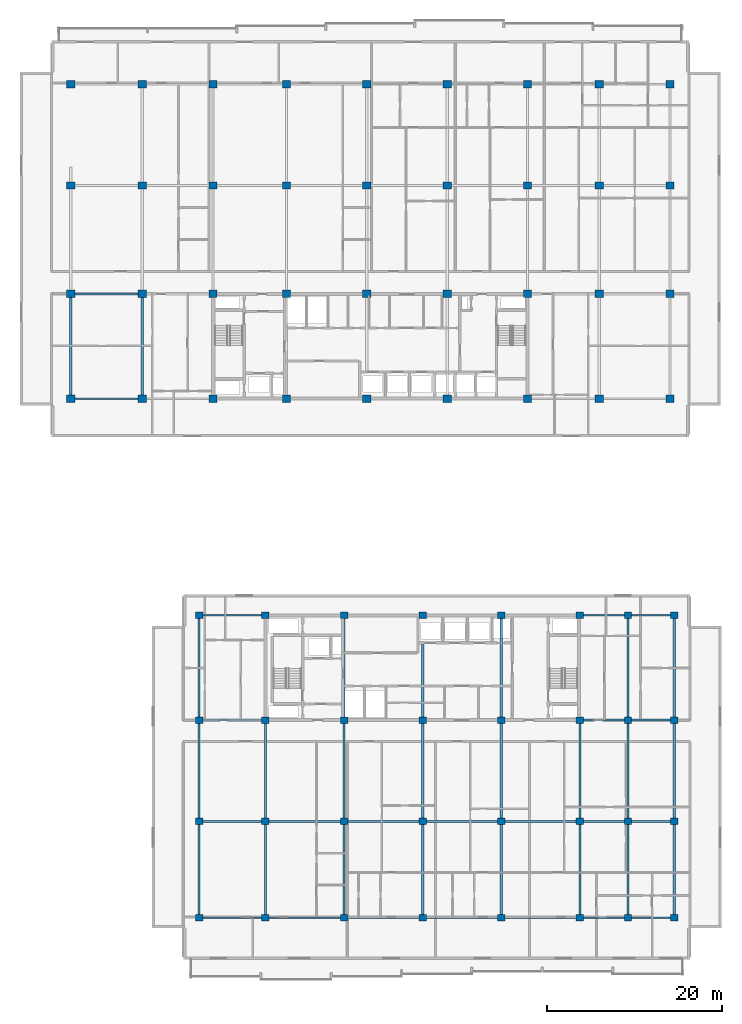
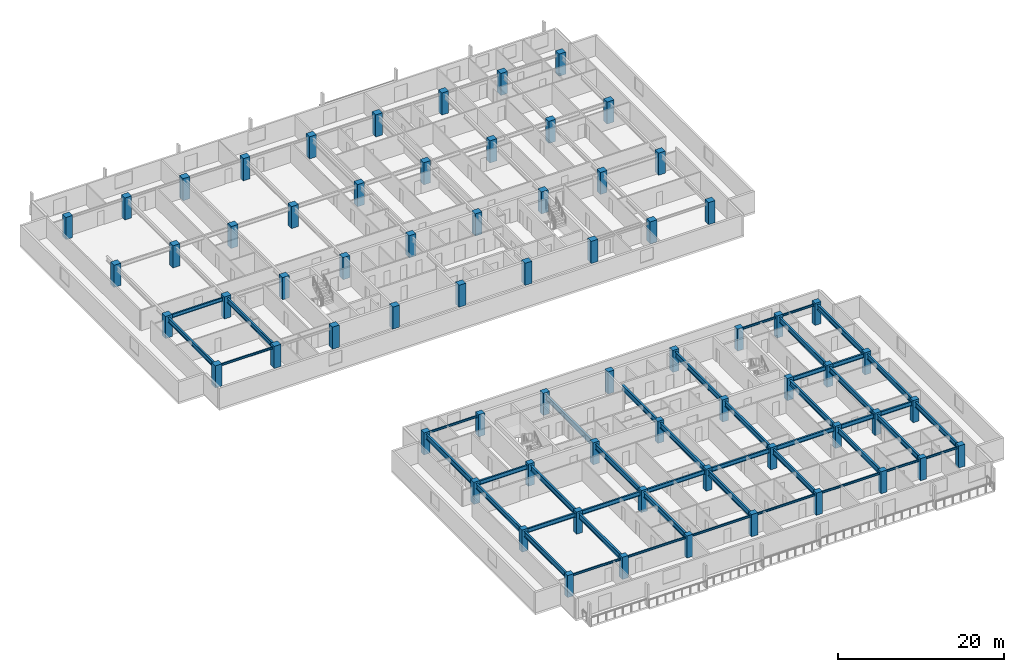
# One storey, part 1 of 21: 68 columns, 46 beams.
"""IFC4 building model written with IfcOpenShell, lengths in metres."""

import ifcopenshell
import ifcopenshell.guid

model = None  # the IFC model being written
_history = None  # IfcOwnerHistory: only IFC2X3 demands one
_inside = {}  # id of a spatial element -> (the spatial element, [elements in it])
_under = {}  # id of a project, library or spatial element -> (it, [spatial elements below it])
_declared = {}  # id of a project -> (the project, [libraries it declares])
_typed = {}  # id of a type object -> (the type object, [elements of that type])
_made_of = {}  # id of a material, layer set ... -> (it, [elements and type objects made of it])


def new_model(schema):
    """Start an empty IFC model of exactly this schema.

    Asked for "IFC4X3", IfcOpenShell would pick the latest addendum, in which some entities
    have other attributes; the version numbers below select the first issue.
    IFC2X3 requires an IfcOwnerHistory on every rooted entity: one is made here for all.
    """
    global model, _history
    if schema == "IFC4X3":
        model = ifcopenshell.file(schema_version=(4, 3, 0, 0))
    else:
        model = ifcopenshell.file(schema=schema)
    _inside.clear()
    _under.clear()
    _declared.clear()
    _typed.clear()
    _made_of.clear()
    _history = None
    if model.schema == "IFC2X3":
        org = make("IfcOrganization", Name="unknown")
        user = make(
            "IfcPersonAndOrganization",
            ThePerson=make("IfcPerson", FamilyName="unknown"),
            TheOrganization=org,
        )
        app = make(
            "IfcApplication",
            ApplicationDeveloper=org,
            Version="unknown",
            ApplicationFullName="unknown",
            ApplicationIdentifier="unknown",
        )
        _history = make(
            "IfcOwnerHistory",
            OwningUser=user,
            OwningApplication=app,
            ChangeAction="ADDED",
            CreationDate=0,
        )
    return model


def make(cls, **values):
    """One entity of the class cls with the attributes given. An attribute that is None is left unset."""
    return model.create_entity(
        cls, **{name: value for name, value in values.items() if value is not None}
    )


def rooted(cls, **values):
    """An entity with a GlobalId (a new one), such as an element, a storey or a relation."""
    return make(cls, GlobalId=ifcopenshell.guid.new(), OwnerHistory=_history, **values)


def si_unit(unit_type, name, prefix=None):
    """IfcSIUnit, for example si_unit("LENGTHUNIT", "METRE", prefix="MILLI")."""
    return make("IfcSIUnit", UnitType=unit_type, Prefix=prefix, Name=name)


def assignment(units):
    """IfcUnitAssignment: the units of a project."""
    return None if units is None else make("IfcUnitAssignment", Units=units)


def point(xyz):
    """IfcCartesianPoint."""
    return None if xyz is None else make("IfcCartesianPoint", Coordinates=xyz)


def direction(xyz):
    """IfcDirection."""
    return None if xyz is None else make("IfcDirection", DirectionRatios=xyz)


def frame(location, z_axis=None, x_axis=None):
    """IfcAxis2Placement3D, a coordinate frame: its origin and axes. An axis left out is left unset."""
    return make(
        "IfcAxis2Placement3D",
        Location=point(location),
        Axis=direction(z_axis),
        RefDirection=direction(x_axis),
    )


def frame_2d(location, x_axis=None):
    """IfcAxis2Placement2D, a coordinate frame in the plane: its origin and x axis."""
    return make(
        "IfcAxis2Placement2D", Location=point(location), RefDirection=direction(x_axis)
    )


def origin():
    """The frame at (0, 0, 0) with its axes left unset."""
    return frame((0.0, 0.0, 0.0))


def origin_2d():
    """The frame at (0, 0) in the plane with its x axis left unset."""
    return frame_2d((0.0, 0.0))


def place(relative_to, where):
    """IfcLocalPlacement: puts the frame where relative to a parent placement (None: the world)."""
    return make(
        "IfcLocalPlacement", PlacementRelTo=relative_to, RelativePlacement=where
    )


def context(
    kind, dimensions, precision=None, world=None, true_north=None, identifier=None
):
    """IfcGeometricRepresentationContext, for example the 3D "Model" context."""
    return make(
        "IfcGeometricRepresentationContext",
        ContextIdentifier=identifier,
        ContextType=kind,
        CoordinateSpaceDimension=dimensions,
        Precision=precision,
        WorldCoordinateSystem=world,
        TrueNorth=true_north,
    )


def subcontext(parent, identifier, kind, view, scale=None):
    """IfcGeometricRepresentationSubContext, for example "Body" below "Model"."""
    return make(
        "IfcGeometricRepresentationSubContext",
        ContextIdentifier=identifier,
        ContextType=kind,
        ParentContext=parent,
        TargetScale=scale,
        TargetView=view,
    )


def project(units=None, contexts=None):
    """IfcProject with its units and contexts."""
    return rooted(
        "IfcProject",
        Name="project",
        RepresentationContexts=contexts,
        UnitsInContext=assignment(units),
    )


def spatial(cls, under=None, at=None, **own):
    """A site, building, storey or space (cls), placed at a placement, below another one or the project."""
    s = rooted(cls, ObjectPlacement=at, **own)
    if under is not None:
        _under.setdefault(under.id(), (under, []))[1].append(s)
    return s


def profile(cls, at=None, kind="AREA", **sizes):
    """A parametric profile (cls). Its sizes go by their IFC names, for example OverallWidth=200.0."""
    return make(cls, ProfileType=kind, Position=at, **sizes)


def rectangle(**sizes):
    """IfcRectangleProfileDef."""
    return profile("IfcRectangleProfileDef", **sizes)


def i_section(**sizes):
    """IfcIShapeProfileDef."""
    return profile("IfcIShapeProfileDef", **sizes)


def extrude(swept, where, along, depth):
    """IfcExtrudedAreaSolid: the profile swept, set in the frame where, extruded along a direction by depth."""
    return make(
        "IfcExtrudedAreaSolid",
        SweptArea=swept,
        Position=where,
        ExtrudedDirection=direction(along),
        Depth=depth,
    )


def shape(context_of_items, identifier, shape_type, items):
    """IfcShapeRepresentation: the items that make up one representation, for example the "Body"."""
    return make(
        "IfcShapeRepresentation",
        ContextOfItems=context_of_items,
        RepresentationIdentifier=identifier,
        RepresentationType=shape_type,
        Items=items,
    )


def material(Name=None, Category=None):
    """IfcMaterial."""
    return make("IfcMaterial", Name=Name, Category=Category)


def material_profile(
    of_material, cross_section, Name=None, Category=None, Priority=None
):
    """IfcMaterialProfile: a cross section and its material."""
    return make(
        "IfcMaterialProfile",
        Name=Name,
        Material=of_material,
        Profile=cross_section,
        Priority=Priority,
        Category=Category,
    )


def profile_set(profiles, Name=None, composite=None):
    """IfcMaterialProfileSet."""
    return make(
        "IfcMaterialProfileSet",
        Name=Name,
        MaterialProfiles=profiles,
        CompositeProfile=composite,
    )


def made_of(thing, what):
    """Note that an element or type object is made of a material, layer set ...; save() writes the relation."""
    if what is not None:
        _made_of.setdefault(what.id(), (what, []))[1].append(thing)
    return thing


def type_object(cls, material=None, **own):
    """A type object (cls), such as IfcWallType, which elements share."""
    return made_of(rooted(cls, **own), material)


def element(
    cls,
    number,
    at=None,
    inside=None,
    cuts=None,
    type_object=None,
    material=None,
    context=None,
    identifier="Body",
    shape_type=None,
    held_by="IfcProductDefinitionShape",
    body=None,
    shapes=None,
    **own,
):
    """One element of the class cls, such as IfcWall. Its Tag is "e" and its number.

    at: its placement. inside: the storey or other place that contains it. cuts: it is an
    opening in that element (IfcRelVoidsElement). A single representation is given by context,
    identifier, shape_type and body (its items); several are given by shapes. held_by: the class
    of the entity that holds the representations. save() writes the other relations.
    """
    e = rooted(cls, Tag="e%d" % number, ObjectPlacement=at, **own)
    if body is not None:
        shapes = [shape(context, identifier, shape_type, body)]
    if shapes is not None:
        e.Representation = make(held_by, Representations=shapes)
    if inside is not None:
        _inside.setdefault(inside.id(), (inside, []))[1].append(e)
    if cuts is not None:
        rooted(
            "IfcRelVoidsElement", RelatingBuildingElement=cuts, RelatedOpeningElement=e
        )
    if type_object is not None:
        _typed.setdefault(type_object.id(), (type_object, []))[1].append(e)
    return made_of(e, material)


def aggregate(whole, parts):
    """IfcRelAggregates: a whole, such as a stair, and the parts it consists of."""
    return rooted("IfcRelAggregates", RelatingObject=whole, RelatedObjects=parts)


def save(model, path):
    """Write the relations noted so far, then the file.

    IfcRelAggregates (storeys below a building ...), IfcRelContainedInSpatialStructure (elements
    in a storey), IfcRelDefinesByType, IfcRelAssociatesMaterial and IfcRelDeclares: one each for
    every whole, place, type object, material and project.
    """
    for whole, parts in _under.values():
        aggregate(whole, parts)
    for where, things in _inside.values():
        rooted(
            "IfcRelContainedInSpatialStructure",
            RelatedElements=things,
            RelatingStructure=where,
        )
    for kind, things in _typed.values():
        rooted("IfcRelDefinesByType", RelatedObjects=things, RelatingType=kind)
    for what, things in _made_of.values():
        rooted("IfcRelAssociatesMaterial", RelatedObjects=things, RelatingMaterial=what)
    for by, libraries in _declared.values():
        rooted("IfcRelDeclares", RelatingContext=by, RelatedDefinitions=libraries)
    model.write(path)


model = new_model("IFC4")

# Units and contexts
model_context = context("Model", 3, precision=1e-05, world=origin(), true_north=direction((0.0, 1.0)))
body_context = subcontext(model_context, "Body", "Model", "MODEL_VIEW")
ifc_project = project(units=[si_unit("LENGTHUNIT", "METRE"), si_unit("AREAUNIT", "SQUARE_METRE"), si_unit("VOLUMEUNIT", "CUBIC_METRE"), si_unit("PLANEANGLEUNIT", "RADIAN"), si_unit("MASSUNIT", "GRAM", prefix="KILO")], contexts=[model_context])

# Site, building, storey
site_placement = place(None, origin())
site = spatial("IfcSite", under=ifc_project, at=site_placement, CompositionType="ELEMENT")
building_placement = place(site_placement, origin())
building = spatial("IfcBuilding", under=site, at=building_placement, Name="Korimba Cascade Residences", CompositionType="ELEMENT")
storey_placement = place(building_placement, frame((0.0, 0.0, 100.300048828125)))
storey = spatial("IfcBuildingStorey", under=building, at=storey_placement, Name="L28", CompositionType="ELEMENT", Elevation=100.300048828125)

# Columns
ifc_material_1 = material(Name="Concrete C65/80", Category="concrete")
ifc_material_profile_1 = material_profile(ifc_material_1, rectangle(XDim=0.85009765625, YDim=0.75, at=origin_2d()), Name="Concrete C65/80")
ifc_profile_set_1 = profile_set([ifc_material_profile_1], Name="Concrete C65/80")
column_type_1 = type_object("IfcColumnType", Name="COL-RC-850", PredefinedType="COLUMN", material=ifc_profile_set_1)
for number, where, z_axis, x_axis, name in (
    (1, (74.5, -4.199951171875, 0.0), (0.0, 0.0, 1.0), (1.0, 0.0, 0.0), "L28 Tower 2 Column 1.1"),
    (2, (74.5, 6.800048828125, 0.0), (0.0, 0.0, 1.0), (1.0, 0.0, 0.0), "L28 Tower 2 Column 1.2"),
    (3, (74.5, 18.39990234375, 0.0), (0.0, 0.0, 1.0), (1.0, 0.0, 0.0), "L28 Tower 2 Column 1.3"),
    (4, (74.5, 30.39990234375, 0.0), (0.0, 0.0, 1.0), (1.0, 0.0, 0.0), "L28 Tower 2 Column 1.4"),
    (5, (82.10009765625, -4.199951171875, 0.0), (0.0, 0.0, 1.0), (1.0, 0.0, 0.0), "L28 Tower 2 Column 2.1"),
    (6, (82.10009765625, 6.800048828125, 0.0), (0.0, 0.0, 1.0), (1.0, 0.0, 0.0), "L28 Tower 2 Column 2.2"),
    (7, (82.10009765625, 18.39990234375, 0.0), (0.0, 0.0, 1.0), (1.0, 0.0, 0.0), "L28 Tower 2 Column 2.3"),
    (8, (82.10009765625, 30.39990234375, 0.0), (0.0, 0.0, 1.0), (1.0, 0.0, 0.0), "L28 Tower 2 Column 2.4"),
    (9, (91.10009765625, -4.199951171875, 0.0), (0.0, 0.0, 1.0), (1.0, 0.0, 0.0), "L28 Tower 2 Column 3.1"),
    (10, (91.10009765625, 6.800048828125, 0.0), (0.0, 0.0, 1.0), (1.0, 0.0, 0.0), "L28 Tower 2 Column 3.2"),
    (11, (91.10009765625, 18.39990234375, 0.0), (0.0, 0.0, 1.0), (1.0, 0.0, 0.0), "L28 Tower 2 Column 3.3"),
    (12, (91.10009765625, 30.39990234375, 0.0), (0.0, 0.0, 1.0), (1.0, 0.0, 0.0), "L28 Tower 2 Column 3.4"),
    (13, (100.10009765625, -4.199951171875, 0.0), (0.0, 0.0, 1.0), (1.0, 0.0, 0.0), "L28 Tower 2 Column 4.1"),
    (14, (100.10009765625, 6.800048828125, 0.0), (0.0, 0.0, 1.0), (1.0, 0.0, 0.0), "L28 Tower 2 Column 4.2"),
    (15, (100.10009765625, 18.39990234375, 0.0), (0.0, 0.0, 1.0), (1.0, 0.0, 0.0), "L28 Tower 2 Column 4.3"),
    (16, (100.10009765625, 30.39990234375, 0.0), (0.0, 0.0, 1.0), (1.0, 0.0, 0.0), "L28 Tower 2 Column 4.4"),
    (17, (109.10009765625, -4.199951171875, 0.0), (0.0, 0.0, 1.0), (1.0, 0.0, 0.0), "L28 Tower 2 Column 5.1"),
    (18, (109.10009765625, 6.800048828125, 0.0), (0.0, 0.0, 1.0), (1.0, 0.0, 0.0), "L28 Tower 2 Column 5.2"),
    (19, (109.10009765625, 18.39990234375, 0.0), (0.0, 0.0, 1.0), (1.0, 0.0, 0.0), "L28 Tower 2 Column 5.3"),
    (20, (109.10009765625, 30.39990234375, 0.0), (0.0, 0.0, 1.0), (1.0, 0.0, 0.0), "L28 Tower 2 Column 5.4"),
    (21, (118.10009765625, -4.199951171875, 0.0), (0.0, 0.0, 1.0), (1.0, 0.0, 0.0), "L28 Tower 2 Column 6.1"),
    (22, (118.10009765625, 6.800048828125, 0.0), (0.0, 0.0, 1.0), (1.0, 0.0, 0.0), "L28 Tower 2 Column 6.2"),
    (23, (118.10009765625, 18.39990234375, 0.0), (0.0, 0.0, 1.0), (1.0, 0.0, 0.0), "L28 Tower 2 Column 6.3"),
    (24, (118.10009765625, 30.39990234375, 0.0), (0.0, 0.0, 1.0), (1.0, 0.0, 0.0), "L28 Tower 2 Column 6.4"),
    (25, (123.60009765625, -4.199951171875, 0.0), (0.0, 0.0, 1.0), (1.0, 0.0, 0.0), "L28 Tower 2 Column 7.1"),
    (26, (123.60009765625, 6.800048828125, 0.0), (0.0, 0.0, 1.0), (1.0, 0.0, 0.0), "L28 Tower 2 Column 7.2"),
    (27, (123.60009765625, 18.39990234375, 0.0), (0.0, 0.0, 1.0), (1.0, 0.0, 0.0), "L28 Tower 2 Column 7.3"),
    (28, (123.60009765625, 30.39990234375, 0.0), (0.0, 0.0, 1.0), (1.0, 0.0, 0.0), "L28 Tower 2 Column 7.4"),
    (29, (128.89990234375, -4.199951171875, 0.0), (0.0, 0.0, 1.0), (1.0, 0.0, 0.0), "L28 Tower 2 Column 8.1"),
    (30, (128.89990234375, 6.800048828125, 0.0), (0.0, 0.0, 1.0), (1.0, 0.0, 0.0), "L28 Tower 2 Column 8.2"),
    (31, (128.89990234375, 18.39990234375, 0.0), (0.0, 0.0, 1.0), (1.0, 0.0, 0.0), "L28 Tower 2 Column 8.3"),
    (32, (128.89990234375, 30.39990234375, 0.0), (0.0, 0.0, 1.0), (1.0, 0.0, 0.0), "L28 Tower 2 Column 8.4"),
):
    element("IfcColumn", number, at=place(storey_placement, frame(where, z_axis=z_axis, x_axis=x_axis)), inside=storey, type_object=column_type_1, Name=name, PredefinedType="COLUMN", context=body_context, shape_type="SweptSolid", body=[
        extrude(rectangle(XDim=0.85009765625, YDim=0.75, at=origin_2d()), origin(), (0.0, 0.0, 1.0), 3.25),
    ])
ifc_material_profile_2 = material_profile(ifc_material_1, rectangle(XDim=0.949951171875, YDim=0.85009765625, at=origin_2d()), Name="Concrete C65/80")
ifc_profile_set_2 = profile_set([ifc_material_profile_2], Name="Concrete C65/80")
column_type_2 = type_object("IfcColumnType", Name="COL-RC-950", PredefinedType="COLUMN", material=ifc_profile_set_2)
for number, where, z_axis, x_axis, name in (
    (33, (59.800048828125, 55.199951171875, 0.0), (0.0, 0.0, 1.0), (1.0, 0.0, 0.0), "L28 Tower 1 Column 1.1"),
    (34, (59.800048828125, 67.199951171875, 0.0), (0.0, 0.0, 1.0), (1.0, 0.0, 0.0), "L28 Tower 1 Column 1.2"),
    (35, (59.800048828125, 79.60009765625, 0.0), (0.0, 0.0, 1.0), (1.0, 0.0, 0.0), "L28 Tower 1 Column 1.3"),
    (36, (59.800048828125, 91.199951171875, 0.0), (0.0, 0.0, 1.0), (1.0, 0.0, 0.0), "L28 Tower 1 Column 1.4"),
    (37, (68.0, 55.199951171875, 0.0), (0.0, 0.0, 1.0), (1.0, 0.0, 0.0), "L28 Tower 1 Column 2.1"),
    (38, (68.0, 67.199951171875, 0.0), (0.0, 0.0, 1.0), (1.0, 0.0, 0.0), "L28 Tower 1 Column 2.2"),
    (39, (68.0, 79.60009765625, 0.0), (0.0, 0.0, 1.0), (1.0, 0.0, 0.0), "L28 Tower 1 Column 2.3"),
    (40, (68.0, 91.199951171875, 0.0), (0.0, 0.0, 1.0), (1.0, 0.0, 0.0), "L28 Tower 1 Column 2.4"),
    (41, (76.10009765625, 55.199951171875, 0.0), (0.0, 0.0, 1.0), (1.0, 0.0, 0.0), "L28 Tower 1 Column 3.1"),
    (42, (76.10009765625, 67.199951171875, 0.0), (0.0, 0.0, 1.0), (1.0, 0.0, 0.0), "L28 Tower 1 Column 3.2"),
    (43, (76.10009765625, 79.60009765625, 0.0), (0.0, 0.0, 1.0), (1.0, 0.0, 0.0), "L28 Tower 1 Column 3.3"),
    (44, (76.10009765625, 91.199951171875, 0.0), (0.0, 0.0, 1.0), (1.0, 0.0, 0.0), "L28 Tower 1 Column 3.4"),
    (45, (84.5, 55.199951171875, 0.0), (0.0, 0.0, 1.0), (1.0, 0.0, 0.0), "L28 Tower 1 Column 4.1"),
    (46, (84.5, 67.199951171875, 0.0), (0.0, 0.0, 1.0), (1.0, 0.0, 0.0), "L28 Tower 1 Column 4.2"),
    (47, (84.5, 79.60009765625, 0.0), (0.0, 0.0, 1.0), (1.0, 0.0, 0.0), "L28 Tower 1 Column 4.3"),
    (48, (84.5, 91.199951171875, 0.0), (0.0, 0.0, 1.0), (1.0, 0.0, 0.0), "L28 Tower 1 Column 4.4"),
    (49, (93.699951171875, 55.199951171875, 0.0), (0.0, 0.0, 1.0), (1.0, 0.0, 0.0), "L28 Tower 1 Column 5.1"),
    (50, (93.699951171875, 67.199951171875, 0.0), (0.0, 0.0, 1.0), (1.0, 0.0, 0.0), "L28 Tower 1 Column 5.2"),
    (51, (93.699951171875, 79.60009765625, 0.0), (0.0, 0.0, 1.0), (1.0, 0.0, 0.0), "L28 Tower 1 Column 5.3"),
    (52, (93.699951171875, 91.199951171875, 0.0), (0.0, 0.0, 1.0), (1.0, 0.0, 0.0), "L28 Tower 1 Column 5.4"),
    (53, (102.89990234375, 55.199951171875, 0.0), (0.0, 0.0, 1.0), (1.0, 0.0, 0.0), "L28 Tower 1 Column 6.1"),
    (54, (102.89990234375, 67.199951171875, 0.0), (0.0, 0.0, 1.0), (1.0, 0.0, 0.0), "L28 Tower 1 Column 6.2"),
    (55, (102.89990234375, 79.60009765625, 0.0), (0.0, 0.0, 1.0), (1.0, 0.0, 0.0), "L28 Tower 1 Column 6.3"),
    (56, (102.89990234375, 91.199951171875, 0.0), (0.0, 0.0, 1.0), (1.0, 0.0, 0.0), "L28 Tower 1 Column 6.4"),
    (57, (112.10009765625, 55.199951171875, 0.0), (0.0, 0.0, 1.0), (1.0, 0.0, 0.0), "L28 Tower 1 Column 7.1"),
    (58, (112.10009765625, 67.199951171875, 0.0), (0.0, 0.0, 1.0), (1.0, 0.0, 0.0), "L28 Tower 1 Column 7.2"),
    (59, (112.10009765625, 79.60009765625, 0.0), (0.0, 0.0, 1.0), (1.0, 0.0, 0.0), "L28 Tower 1 Column 7.3"),
    (60, (112.10009765625, 91.199951171875, 0.0), (0.0, 0.0, 1.0), (1.0, 0.0, 0.0), "L28 Tower 1 Column 7.4"),
    (61, (120.300048828125, 55.199951171875, 0.0), (0.0, 0.0, 1.0), (1.0, 0.0, 0.0), "L28 Tower 1 Column 8.1"),
    (62, (120.300048828125, 67.199951171875, 0.0), (0.0, 0.0, 1.0), (1.0, 0.0, 0.0), "L28 Tower 1 Column 8.2"),
    (63, (120.300048828125, 79.60009765625, 0.0), (0.0, 0.0, 1.0), (1.0, 0.0, 0.0), "L28 Tower 1 Column 8.3"),
    (64, (120.300048828125, 91.199951171875, 0.0), (0.0, 0.0, 1.0), (1.0, 0.0, 0.0), "L28 Tower 1 Column 8.4"),
    (65, (128.39990234375, 55.199951171875, 0.0), (0.0, 0.0, 1.0), (1.0, 0.0, 0.0), "L28 Tower 1 Column 9.1"),
    (66, (128.39990234375, 67.199951171875, 0.0), (0.0, 0.0, 1.0), (1.0, 0.0, 0.0), "L28 Tower 1 Column 9.2"),
    (67, (128.39990234375, 79.60009765625, 0.0), (0.0, 0.0, 1.0), (1.0, 0.0, 0.0), "L28 Tower 1 Column 9.3"),
    (68, (128.39990234375, 91.199951171875, 0.0), (0.0, 0.0, 1.0), (1.0, 0.0, 0.0), "L28 Tower 1 Column 9.4"),
):
    element("IfcColumn", number, at=place(storey_placement, frame(where, z_axis=z_axis, x_axis=x_axis)), inside=storey, type_object=column_type_2, Name=name, PredefinedType="COLUMN", context=body_context, shape_type="SweptSolid", body=[
        extrude(rectangle(XDim=0.949951171875, YDim=0.85009765625, at=origin_2d()), origin(), (0.0, 0.0, 1.0), 3.25),
    ])

# Beams
ifc_material_2 = material(Name="Steel S355", Category="steel")
ifc_material_profile_3 = material_profile(ifc_material_2, i_section(OverallWidth=0.165771484375, OverallDepth=0.306640625, WebThickness=0.006591796875, FlangeThickness=0.01171875, FilletRadius=0.0087890625, at=origin_2d()), Name="Steel S355")
ifc_profile_set_3 = profile_set([ifc_material_profile_3], Name="Steel S355")
beam_type_1 = type_object("IfcBeamType", Name="BM-STL-UB305", PredefinedType="SPANDREL", material=ifc_profile_set_3)
beam_1_placement = place(storey_placement, frame((60.27490234375, 55.199951171875, 2.816650390625), z_axis=(1.0, 0.0, 0.0), x_axis=(0.0, 1.0, 0.0)))
element("IfcBeam", 69, at=beam_1_placement, inside=storey, type_object=beam_type_1, Name="L28 T1 E-W Girder Y1 Bay 1", PredefinedType="SPANDREL", context=body_context, shape_type="SweptSolid", body=[
    extrude(i_section(OverallWidth=0.165771484375, OverallDepth=0.306640625, WebThickness=0.006591796875, FlangeThickness=0.01171875, FilletRadius=0.0087890625, at=origin_2d()), origin(), (0.0, 0.0, 1.0), 7.25),
])
beam_2_placement = place(storey_placement, frame((74.925048828125, -4.199951171875, 2.816650390625), z_axis=(1.0, 0.0, 0.0), x_axis=(0.0, 1.0, 0.0)))
element("IfcBeam", 70, at=beam_2_placement, inside=storey, type_object=beam_type_1, Name="L28 T2 E-W Girder Y1 Bay 1", PredefinedType="SPANDREL", context=body_context, shape_type="SweptSolid", body=[
    extrude(i_section(OverallWidth=0.165771484375, OverallDepth=0.306640625, WebThickness=0.006591796875, FlangeThickness=0.01171875, FilletRadius=0.0087890625, at=origin_2d()), origin(), (0.0, 0.0, 1.0), 6.75),
])
for number, where, z_axis, x_axis, name in (
    (71, (82.52490234375, -4.199951171875, 2.816650390625), (1.0, 0.0, 0.0), (0.0, 1.0, 0.0), "L28 T2 E-W Girder Y1 Bay 2"),
    (72, (91.52490234375, -4.199951171875, 2.816650390625), (1.0, 0.0, 0.0), (0.0, 1.0, 0.0), "L28 T2 E-W Girder Y1 Bay 3"),
    (73, (100.52490234375, -4.199951171875, 2.816650390625), (1.0, 0.0, 0.0), (0.0, 1.0, 0.0), "L28 T2 E-W Girder Y1 Bay 4"),
    (74, (109.52490234375, -4.199951171875, 2.816650390625), (1.0, 0.0, 0.0), (0.0, 1.0, 0.0), "L28 T2 E-W Girder Y1 Bay 5"),
):
    element("IfcBeam", number, at=place(storey_placement, frame(where, z_axis=z_axis, x_axis=x_axis)), inside=storey, type_object=beam_type_1, Name=name, PredefinedType="SPANDREL", context=body_context, shape_type="SweptSolid", body=[
        extrude(i_section(OverallWidth=0.165771484375, OverallDepth=0.306640625, WebThickness=0.006591796875, FlangeThickness=0.01171875, FilletRadius=0.0087890625, at=origin_2d()), origin(), (0.0, 0.0, 1.0), 8.150146484375),
    ])
beam_3_placement = place(storey_placement, frame((118.52490234375, -4.199951171875, 2.816650390625), z_axis=(1.0, 0.0, 0.0), x_axis=(0.0, 1.0, 0.0)))
element("IfcBeam", 75, at=beam_3_placement, inside=storey, type_object=beam_type_1, Name="L28 T2 E-W Girder Y1 Bay 6", PredefinedType="SPANDREL", context=body_context, shape_type="SweptSolid", body=[
    extrude(i_section(OverallWidth=0.165771484375, OverallDepth=0.306640625, WebThickness=0.006591796875, FlangeThickness=0.01171875, FilletRadius=0.0087890625, at=origin_2d()), origin(), (0.0, 0.0, 1.0), 4.650146484375),
])
beam_4_placement = place(storey_placement, frame((124.02490234375, -4.199951171875, 2.816650390625), z_axis=(1.0, 0.0, 0.0), x_axis=(0.0, 1.0, 0.0)))
element("IfcBeam", 76, at=beam_4_placement, inside=storey, type_object=beam_type_1, Name="L28 T2 E-W Girder Y1 Bay 7", PredefinedType="SPANDREL", context=body_context, shape_type="SweptSolid", body=[
    extrude(i_section(OverallWidth=0.165771484375, OverallDepth=0.306640625, WebThickness=0.006591796875, FlangeThickness=0.01171875, FilletRadius=0.0087890625, at=origin_2d()), origin(), (0.0, 0.0, 1.0), 4.4501953125),
])
beam_5_placement = place(storey_placement, frame((74.925048828125, 30.39990234375, 2.816650390625), z_axis=(1.0, 0.0, 0.0), x_axis=(0.0, 1.0, 0.0)))
element("IfcBeam", 77, at=beam_5_placement, inside=storey, type_object=beam_type_1, Name="L28 T2 E-W Girder Y4 Bay 1", PredefinedType="SPANDREL", context=body_context, shape_type="SweptSolid", body=[
    extrude(i_section(OverallWidth=0.165771484375, OverallDepth=0.306640625, WebThickness=0.006591796875, FlangeThickness=0.01171875, FilletRadius=0.0087890625, at=origin_2d()), origin(), (0.0, 0.0, 1.0), 6.75),
])
beam_6_placement = place(storey_placement, frame((118.52490234375, 30.39990234375, 2.816650390625), z_axis=(1.0, 0.0, 0.0), x_axis=(0.0, 1.0, 0.0)))
element("IfcBeam", 78, at=beam_6_placement, inside=storey, type_object=beam_type_1, Name="L28 T2 E-W Girder Y4 Bay 6", PredefinedType="SPANDREL", context=body_context, shape_type="SweptSolid", body=[
    extrude(i_section(OverallWidth=0.165771484375, OverallDepth=0.306640625, WebThickness=0.006591796875, FlangeThickness=0.01171875, FilletRadius=0.0087890625, at=origin_2d()), origin(), (0.0, 0.0, 1.0), 4.650146484375),
])
beam_7_placement = place(storey_placement, frame((124.02490234375, 30.39990234375, 2.816650390625), z_axis=(1.0, 0.0, 0.0), x_axis=(0.0, 1.0, 0.0)))
element("IfcBeam", 79, at=beam_7_placement, inside=storey, type_object=beam_type_1, Name="L28 T2 E-W Girder Y4 Bay 7", PredefinedType="SPANDREL", context=body_context, shape_type="SweptSolid", body=[
    extrude(i_section(OverallWidth=0.165771484375, OverallDepth=0.306640625, WebThickness=0.006591796875, FlangeThickness=0.01171875, FilletRadius=0.0087890625, at=origin_2d()), origin(), (0.0, 0.0, 1.0), 4.4501953125),
])
ifc_material_profile_4 = material_profile(ifc_material_2, i_section(OverallWidth=0.2099609375, OverallDepth=0.53662109375, WebThickness=0.0107421875, FlangeThickness=0.017333984375, FilletRadius=0.0126953125, at=origin_2d()), Name="Steel S355")
ifc_profile_set_4 = profile_set([ifc_material_profile_4], Name="Steel S355")
beam_type_2 = type_object("IfcBeamType", Name="BM-STL-UB533", PredefinedType="BEAM", material=ifc_profile_set_4)
beam_8_placement = place(storey_placement, frame((60.27490234375, 67.199951171875, 2.70166015625), z_axis=(1.0, 0.0, 0.0), x_axis=(0.0, 1.0, 0.0)))
element("IfcBeam", 80, at=beam_8_placement, inside=storey, type_object=beam_type_2, Name="L28 T1 E-W Girder Y2 Bay 1", PredefinedType="BEAM", context=body_context, shape_type="SweptSolid", body=[
    extrude(i_section(OverallWidth=0.2099609375, OverallDepth=0.53662109375, WebThickness=0.0107421875, FlangeThickness=0.017333984375, FilletRadius=0.0126953125, at=origin_2d()), origin(), (0.0, 0.0, 1.0), 7.25),
])
ifc_material_profile_5 = material_profile(ifc_material_2, i_section(OverallWidth=0.22900390625, OverallDepth=0.6123046875, WebThickness=0.011962890625, FlangeThickness=0.01953125, FilletRadius=0.0126953125, at=origin_2d()), Name="Steel S355")
ifc_profile_set_5 = profile_set([ifc_material_profile_5], Name="Steel S355")
beam_type_3 = type_object("IfcBeamType", Name="BM-STL-UB610B", PredefinedType="BEAM", material=ifc_profile_set_5)
beam_9_placement = place(storey_placement, frame((74.925048828125, 6.800048828125, 2.663818359375), z_axis=(1.0, 0.0, 0.0), x_axis=(0.0, 1.0, 0.0)))
element("IfcBeam", 81, at=beam_9_placement, inside=storey, type_object=beam_type_3, Name="L28 T2 E-W Girder Y2 Bay 1", PredefinedType="BEAM", context=body_context, shape_type="SweptSolid", body=[
    extrude(i_section(OverallWidth=0.22900390625, OverallDepth=0.6123046875, WebThickness=0.011962890625, FlangeThickness=0.01953125, FilletRadius=0.0126953125, at=origin_2d()), origin(), (0.0, 0.0, 1.0), 6.75),
])
for number, where, z_axis, x_axis, name in (
    (82, (82.52490234375, 6.800048828125, 2.663818359375), (1.0, 0.0, 0.0), (0.0, 1.0, 0.0), "L28 T2 E-W Girder Y2 Bay 2"),
    (83, (91.52490234375, 6.800048828125, 2.663818359375), (1.0, 0.0, 0.0), (0.0, 1.0, 0.0), "L28 T2 E-W Girder Y2 Bay 3"),
    (84, (100.52490234375, 6.800048828125, 2.663818359375), (1.0, 0.0, 0.0), (0.0, 1.0, 0.0), "L28 T2 E-W Girder Y2 Bay 4"),
    (85, (109.52490234375, 6.800048828125, 2.663818359375), (1.0, 0.0, 0.0), (0.0, 1.0, 0.0), "L28 T2 E-W Girder Y2 Bay 5"),
):
    element("IfcBeam", number, at=place(storey_placement, frame(where, z_axis=z_axis, x_axis=x_axis)), inside=storey, type_object=beam_type_3, Name=name, PredefinedType="BEAM", context=body_context, shape_type="SweptSolid", body=[
        extrude(i_section(OverallWidth=0.22900390625, OverallDepth=0.6123046875, WebThickness=0.011962890625, FlangeThickness=0.01953125, FilletRadius=0.0126953125, at=origin_2d()), origin(), (0.0, 0.0, 1.0), 8.150146484375),
    ])
beam_10_placement = place(storey_placement, frame((118.52490234375, 6.800048828125, 2.663818359375), z_axis=(1.0, 0.0, 0.0), x_axis=(0.0, 1.0, 0.0)))
element("IfcBeam", 86, at=beam_10_placement, inside=storey, type_object=beam_type_3, Name="L28 T2 E-W Girder Y2 Bay 6", PredefinedType="BEAM", context=body_context, shape_type="SweptSolid", body=[
    extrude(i_section(OverallWidth=0.22900390625, OverallDepth=0.6123046875, WebThickness=0.011962890625, FlangeThickness=0.01953125, FilletRadius=0.0126953125, at=origin_2d()), origin(), (0.0, 0.0, 1.0), 4.650146484375),
])
beam_11_placement = place(storey_placement, frame((124.02490234375, 6.800048828125, 2.663818359375), z_axis=(1.0, 0.0, 0.0), x_axis=(0.0, 1.0, 0.0)))
element("IfcBeam", 87, at=beam_11_placement, inside=storey, type_object=beam_type_3, Name="L28 T2 E-W Girder Y2 Bay 7", PredefinedType="BEAM", context=body_context, shape_type="SweptSolid", body=[
    extrude(i_section(OverallWidth=0.22900390625, OverallDepth=0.6123046875, WebThickness=0.011962890625, FlangeThickness=0.01953125, FilletRadius=0.0126953125, at=origin_2d()), origin(), (0.0, 0.0, 1.0), 4.4501953125),
])
beam_12_placement = place(storey_placement, frame((74.925048828125, 18.39990234375, 2.663818359375), z_axis=(1.0, 0.0, 0.0), x_axis=(0.0, 1.0, 0.0)))
element("IfcBeam", 88, at=beam_12_placement, inside=storey, type_object=beam_type_3, Name="L28 T2 E-W Girder Y3 Bay 1", PredefinedType="BEAM", context=body_context, shape_type="SweptSolid", body=[
    extrude(i_section(OverallWidth=0.22900390625, OverallDepth=0.6123046875, WebThickness=0.011962890625, FlangeThickness=0.01953125, FilletRadius=0.0126953125, at=origin_2d()), origin(), (0.0, 0.0, 1.0), 6.75),
])
beam_13_placement = place(storey_placement, frame((118.52490234375, 18.39990234375, 2.663818359375), z_axis=(1.0, 0.0, 0.0), x_axis=(0.0, 1.0, 0.0)))
element("IfcBeam", 89, at=beam_13_placement, inside=storey, type_object=beam_type_3, Name="L28 T2 E-W Girder Y3 Bay 6", PredefinedType="BEAM", context=body_context, shape_type="SweptSolid", body=[
    extrude(i_section(OverallWidth=0.22900390625, OverallDepth=0.6123046875, WebThickness=0.011962890625, FlangeThickness=0.01953125, FilletRadius=0.0126953125, at=origin_2d()), origin(), (0.0, 0.0, 1.0), 4.650146484375),
])
beam_14_placement = place(storey_placement, frame((124.02490234375, 18.39990234375, 2.663818359375), z_axis=(1.0, 0.0, 0.0), x_axis=(0.0, 1.0, 0.0)))
element("IfcBeam", 90, at=beam_14_placement, inside=storey, type_object=beam_type_3, Name="L28 T2 E-W Girder Y3 Bay 7", PredefinedType="BEAM", context=body_context, shape_type="SweptSolid", body=[
    extrude(i_section(OverallWidth=0.22900390625, OverallDepth=0.6123046875, WebThickness=0.011962890625, FlangeThickness=0.01953125, FilletRadius=0.0126953125, at=origin_2d()), origin(), (0.0, 0.0, 1.0), 4.4501953125),
])
ifc_material_profile_6 = material_profile(ifc_material_2, i_section(OverallWidth=0.255859375, OverallDepth=0.69287109375, WebThickness=0.014404296875, FlangeThickness=0.023681640625, FilletRadius=0.01513671875, at=origin_2d()), Name="Steel S355")
ifc_profile_set_6 = profile_set([ifc_material_profile_6], Name="Steel S355")
beam_type_4 = type_object("IfcBeamType", Name="BM-STL-UB686", PredefinedType="BEAM", material=ifc_profile_set_6)
for number, where, z_axis, x_axis, name in (
    (91, (59.800048828125, 55.625, 2.62353515625), (0.0, 1.0, 0.0), (-1.0, 0.0, 0.0), "L28 T1 N-S Girder X1 Seg 1"),
    (92, (68.0, 55.625, 2.62353515625), (0.0, 1.0, 0.0), (-1.0, 0.0, 0.0), "L28 T1 N-S Girder X2 Seg 1"),
):
    element("IfcBeam", number, at=place(storey_placement, frame(where, z_axis=z_axis, x_axis=x_axis)), inside=storey, type_object=beam_type_4, Name=name, PredefinedType="BEAM", context=body_context, shape_type="SweptSolid", body=[
        extrude(i_section(OverallWidth=0.255859375, OverallDepth=0.69287109375, WebThickness=0.014404296875, FlangeThickness=0.023681640625, FilletRadius=0.01513671875, at=origin_2d()), origin(), (0.0, 0.0, 1.0), 11.14990234375),
    ])
ifc_material_profile_7 = material_profile(ifc_material_2, i_section(OverallWidth=0.26806640625, OverallDepth=0.769775390625, WebThickness=0.015625, FlangeThickness=0.025390625, FilletRadius=0.0166015625, at=origin_2d()), Name="Steel S355")
ifc_profile_set_7 = profile_set([ifc_material_profile_7], Name="Steel S355")
beam_type_5 = type_object("IfcBeamType", Name="BM-STL-UB762", PredefinedType="BEAM", material=ifc_profile_set_7)
beam_15_placement = place(storey_placement, frame((74.5, -3.824951171875, 2.5849609375), z_axis=(0.0, 1.0, 0.0), x_axis=(-1.0, 0.0, 0.0)))
element("IfcBeam", 93, at=beam_15_placement, inside=storey, type_object=beam_type_5, Name="L28 T2 N-S Girder X1 Seg 1", PredefinedType="BEAM", context=body_context, shape_type="SweptSolid", body=[
    extrude(i_section(OverallWidth=0.26806640625, OverallDepth=0.769775390625, WebThickness=0.015625, FlangeThickness=0.025390625, FilletRadius=0.0166015625, at=origin_2d()), origin(), (0.0, 0.0, 1.0), 10.25),
])
beam_16_placement = place(storey_placement, frame((74.5, 7.175048828125, 2.5849609375), z_axis=(0.0, 1.0, 0.0), x_axis=(-1.0, 0.0, 0.0)))
element("IfcBeam", 94, at=beam_16_placement, inside=storey, type_object=beam_type_5, Name="L28 T2 N-S Girder X1 Seg 2", PredefinedType="BEAM", context=body_context, shape_type="SweptSolid", body=[
    extrude(i_section(OverallWidth=0.26806640625, OverallDepth=0.769775390625, WebThickness=0.015625, FlangeThickness=0.025390625, FilletRadius=0.0166015625, at=origin_2d()), origin(), (0.0, 0.0, 1.0), 10.849853515625),
])
beam_17_placement = place(storey_placement, frame((74.5, 18.77490234375, 2.5849609375), z_axis=(0.0, 1.0, 0.0), x_axis=(-1.0, 0.0, 0.0)))
element("IfcBeam", 95, at=beam_17_placement, inside=storey, type_object=beam_type_5, Name="L28 T2 N-S Girder X1 Seg 3", PredefinedType="BEAM", context=body_context, shape_type="SweptSolid", body=[
    extrude(i_section(OverallWidth=0.26806640625, OverallDepth=0.769775390625, WebThickness=0.015625, FlangeThickness=0.025390625, FilletRadius=0.0166015625, at=origin_2d()), origin(), (0.0, 0.0, 1.0), 11.25),
])
beam_18_placement = place(storey_placement, frame((82.10009765625, -3.824951171875, 2.5849609375), z_axis=(0.0, 1.0, 0.0), x_axis=(-1.0, 0.0, 0.0)))
element("IfcBeam", 96, at=beam_18_placement, inside=storey, type_object=beam_type_5, Name="L28 T2 N-S Girder X2 Seg 1", PredefinedType="BEAM", context=body_context, shape_type="SweptSolid", body=[
    extrude(i_section(OverallWidth=0.26806640625, OverallDepth=0.769775390625, WebThickness=0.015625, FlangeThickness=0.025390625, FilletRadius=0.0166015625, at=origin_2d()), origin(), (0.0, 0.0, 1.0), 10.25),
])
beam_19_placement = place(storey_placement, frame((82.10009765625, 7.175048828125, 2.5849609375), z_axis=(0.0, 1.0, 0.0), x_axis=(-1.0, 0.0, 0.0)))
element("IfcBeam", 97, at=beam_19_placement, inside=storey, type_object=beam_type_5, Name="L28 T2 N-S Girder X2 Seg 2", PredefinedType="BEAM", context=body_context, shape_type="SweptSolid", body=[
    extrude(i_section(OverallWidth=0.26806640625, OverallDepth=0.769775390625, WebThickness=0.015625, FlangeThickness=0.025390625, FilletRadius=0.0166015625, at=origin_2d()), origin(), (0.0, 0.0, 1.0), 10.849853515625),
])
beam_20_placement = place(storey_placement, frame((91.10009765625, -3.824951171875, 2.5849609375), z_axis=(0.0, 1.0, 0.0), x_axis=(-1.0, 0.0, 0.0)))
element("IfcBeam", 98, at=beam_20_placement, inside=storey, type_object=beam_type_5, Name="L28 T2 N-S Girder X3 Seg 1", PredefinedType="BEAM", context=body_context, shape_type="SweptSolid", body=[
    extrude(i_section(OverallWidth=0.26806640625, OverallDepth=0.769775390625, WebThickness=0.015625, FlangeThickness=0.025390625, FilletRadius=0.0166015625, at=origin_2d()), origin(), (0.0, 0.0, 1.0), 10.25),
])
beam_21_placement = place(storey_placement, frame((91.10009765625, 7.175048828125, 2.5849609375), z_axis=(0.0, 1.0, 0.0), x_axis=(-1.0, 0.0, 0.0)))
element("IfcBeam", 99, at=beam_21_placement, inside=storey, type_object=beam_type_5, Name="L28 T2 N-S Girder X3 Seg 2", PredefinedType="BEAM", context=body_context, shape_type="SweptSolid", body=[
    extrude(i_section(OverallWidth=0.26806640625, OverallDepth=0.769775390625, WebThickness=0.015625, FlangeThickness=0.025390625, FilletRadius=0.0166015625, at=origin_2d()), origin(), (0.0, 0.0, 1.0), 10.849853515625),
])
beam_22_placement = place(storey_placement, frame((91.10009765625, 18.77490234375, 2.5849609375), z_axis=(0.0, 1.0, 0.0), x_axis=(-1.0, 0.0, 0.0)))
element("IfcBeam", 100, at=beam_22_placement, inside=storey, type_object=beam_type_5, Name="L28 T2 N-S Girder X3 Seg 3", PredefinedType="BEAM", context=body_context, shape_type="SweptSolid", body=[
    extrude(i_section(OverallWidth=0.26806640625, OverallDepth=0.769775390625, WebThickness=0.015625, FlangeThickness=0.025390625, FilletRadius=0.0166015625, at=origin_2d()), origin(), (0.0, 0.0, 1.0), 11.25),
])
beam_23_placement = place(storey_placement, frame((100.10009765625, -3.824951171875, 2.5849609375), z_axis=(0.0, 1.0, 0.0), x_axis=(-1.0, 0.0, 0.0)))
element("IfcBeam", 101, at=beam_23_placement, inside=storey, type_object=beam_type_5, Name="L28 T2 N-S Girder X4 Seg 1", PredefinedType="BEAM", context=body_context, shape_type="SweptSolid", body=[
    extrude(i_section(OverallWidth=0.26806640625, OverallDepth=0.769775390625, WebThickness=0.015625, FlangeThickness=0.025390625, FilletRadius=0.0166015625, at=origin_2d()), origin(), (0.0, 0.0, 1.0), 10.25),
])
beam_24_placement = place(storey_placement, frame((100.10009765625, 7.175048828125, 2.5849609375), z_axis=(0.0, 1.0, 0.0), x_axis=(-1.0, 0.0, 0.0)))
element("IfcBeam", 102, at=beam_24_placement, inside=storey, type_object=beam_type_5, Name="L28 T2 N-S Girder X4 Seg 2", PredefinedType="BEAM", context=body_context, shape_type="SweptSolid", body=[
    extrude(i_section(OverallWidth=0.26806640625, OverallDepth=0.769775390625, WebThickness=0.015625, FlangeThickness=0.025390625, FilletRadius=0.0166015625, at=origin_2d()), origin(), (0.0, 0.0, 1.0), 10.849853515625),
])
beam_25_placement = place(storey_placement, frame((100.10009765625, 18.77490234375, 2.5849609375), z_axis=(0.0, 1.0, 0.0), x_axis=(-1.0, 0.0, 0.0)))
element("IfcBeam", 103, at=beam_25_placement, inside=storey, type_object=beam_type_5, Name="L28 T2 N-S Girder X4 Seg 3", PredefinedType="BEAM", context=body_context, shape_type="SweptSolid", body=[
    extrude(i_section(OverallWidth=0.26806640625, OverallDepth=0.769775390625, WebThickness=0.015625, FlangeThickness=0.025390625, FilletRadius=0.0166015625, at=origin_2d()), origin(), (0.0, 0.0, 1.0), 8.565185546875),
])
beam_26_placement = place(storey_placement, frame((109.10009765625, -3.824951171875, 2.5849609375), z_axis=(0.0, 1.0, 0.0), x_axis=(-1.0, 0.0, 0.0)))
element("IfcBeam", 104, at=beam_26_placement, inside=storey, type_object=beam_type_5, Name="L28 T2 N-S Girder X5 Seg 1", PredefinedType="BEAM", context=body_context, shape_type="SweptSolid", body=[
    extrude(i_section(OverallWidth=0.26806640625, OverallDepth=0.769775390625, WebThickness=0.015625, FlangeThickness=0.025390625, FilletRadius=0.0166015625, at=origin_2d()), origin(), (0.0, 0.0, 1.0), 10.25),
])
beam_27_placement = place(storey_placement, frame((109.10009765625, 7.175048828125, 2.5849609375), z_axis=(0.0, 1.0, 0.0), x_axis=(-1.0, 0.0, 0.0)))
element("IfcBeam", 105, at=beam_27_placement, inside=storey, type_object=beam_type_5, Name="L28 T2 N-S Girder X5 Seg 2", PredefinedType="BEAM", context=body_context, shape_type="SweptSolid", body=[
    extrude(i_section(OverallWidth=0.26806640625, OverallDepth=0.769775390625, WebThickness=0.015625, FlangeThickness=0.025390625, FilletRadius=0.0166015625, at=origin_2d()), origin(), (0.0, 0.0, 1.0), 10.849853515625),
])
beam_28_placement = place(storey_placement, frame((109.10009765625, 18.77490234375, 2.5849609375), z_axis=(0.0, 1.0, 0.0), x_axis=(-1.0, 0.0, 0.0)))
element("IfcBeam", 106, at=beam_28_placement, inside=storey, type_object=beam_type_5, Name="L28 T2 N-S Girder X5 Seg 3", PredefinedType="BEAM", context=body_context, shape_type="SweptSolid", body=[
    extrude(i_section(OverallWidth=0.26806640625, OverallDepth=0.769775390625, WebThickness=0.015625, FlangeThickness=0.025390625, FilletRadius=0.0166015625, at=origin_2d()), origin(), (0.0, 0.0, 1.0), 11.25),
])
beam_29_placement = place(storey_placement, frame((118.10009765625, -3.824951171875, 2.5849609375), z_axis=(0.0, 1.0, 0.0), x_axis=(-1.0, 0.0, 0.0)))
element("IfcBeam", 107, at=beam_29_placement, inside=storey, type_object=beam_type_5, Name="L28 T2 N-S Girder X6 Seg 1", PredefinedType="BEAM", context=body_context, shape_type="SweptSolid", body=[
    extrude(i_section(OverallWidth=0.26806640625, OverallDepth=0.769775390625, WebThickness=0.015625, FlangeThickness=0.025390625, FilletRadius=0.0166015625, at=origin_2d()), origin(), (0.0, 0.0, 1.0), 10.25),
])
beam_30_placement = place(storey_placement, frame((118.10009765625, 7.175048828125, 2.5849609375), z_axis=(0.0, 1.0, 0.0), x_axis=(-1.0, 0.0, 0.0)))
element("IfcBeam", 108, at=beam_30_placement, inside=storey, type_object=beam_type_5, Name="L28 T2 N-S Girder X6 Seg 2", PredefinedType="BEAM", context=body_context, shape_type="SweptSolid", body=[
    extrude(i_section(OverallWidth=0.26806640625, OverallDepth=0.769775390625, WebThickness=0.015625, FlangeThickness=0.025390625, FilletRadius=0.0166015625, at=origin_2d()), origin(), (0.0, 0.0, 1.0), 10.849853515625),
])
beam_31_placement = place(storey_placement, frame((123.60009765625, -3.824951171875, 2.5849609375), z_axis=(0.0, 1.0, 0.0), x_axis=(-1.0, 0.0, 0.0)))
element("IfcBeam", 109, at=beam_31_placement, inside=storey, type_object=beam_type_5, Name="L28 T2 N-S Girder X7 Seg 1", PredefinedType="BEAM", context=body_context, shape_type="SweptSolid", body=[
    extrude(i_section(OverallWidth=0.26806640625, OverallDepth=0.769775390625, WebThickness=0.015625, FlangeThickness=0.025390625, FilletRadius=0.0166015625, at=origin_2d()), origin(), (0.0, 0.0, 1.0), 10.25),
])
beam_32_placement = place(storey_placement, frame((123.60009765625, 7.175048828125, 2.5849609375), z_axis=(0.0, 1.0, 0.0), x_axis=(-1.0, 0.0, 0.0)))
element("IfcBeam", 110, at=beam_32_placement, inside=storey, type_object=beam_type_5, Name="L28 T2 N-S Girder X7 Seg 2", PredefinedType="BEAM", context=body_context, shape_type="SweptSolid", body=[
    extrude(i_section(OverallWidth=0.26806640625, OverallDepth=0.769775390625, WebThickness=0.015625, FlangeThickness=0.025390625, FilletRadius=0.0166015625, at=origin_2d()), origin(), (0.0, 0.0, 1.0), 10.849853515625),
])
beam_33_placement = place(storey_placement, frame((123.60009765625, 18.77490234375, 2.5849609375), z_axis=(0.0, 1.0, 0.0), x_axis=(-1.0, 0.0, 0.0)))
element("IfcBeam", 111, at=beam_33_placement, inside=storey, type_object=beam_type_5, Name="L28 T2 N-S Girder X7 Seg 3", PredefinedType="BEAM", context=body_context, shape_type="SweptSolid", body=[
    extrude(i_section(OverallWidth=0.26806640625, OverallDepth=0.769775390625, WebThickness=0.015625, FlangeThickness=0.025390625, FilletRadius=0.0166015625, at=origin_2d()), origin(), (0.0, 0.0, 1.0), 11.25),
])
beam_34_placement = place(storey_placement, frame((128.89990234375, -3.824951171875, 2.5849609375), z_axis=(0.0, 1.0, 0.0), x_axis=(-1.0, 0.0, 0.0)))
element("IfcBeam", 112, at=beam_34_placement, inside=storey, type_object=beam_type_5, Name="L28 T2 N-S Girder X8 Seg 1", PredefinedType="BEAM", context=body_context, shape_type="SweptSolid", body=[
    extrude(i_section(OverallWidth=0.26806640625, OverallDepth=0.769775390625, WebThickness=0.015625, FlangeThickness=0.025390625, FilletRadius=0.0166015625, at=origin_2d()), origin(), (0.0, 0.0, 1.0), 10.25),
])
beam_35_placement = place(storey_placement, frame((128.89990234375, 7.175048828125, 2.5849609375), z_axis=(0.0, 1.0, 0.0), x_axis=(-1.0, 0.0, 0.0)))
element("IfcBeam", 113, at=beam_35_placement, inside=storey, type_object=beam_type_5, Name="L28 T2 N-S Girder X8 Seg 2", PredefinedType="BEAM", context=body_context, shape_type="SweptSolid", body=[
    extrude(i_section(OverallWidth=0.26806640625, OverallDepth=0.769775390625, WebThickness=0.015625, FlangeThickness=0.025390625, FilletRadius=0.0166015625, at=origin_2d()), origin(), (0.0, 0.0, 1.0), 10.849853515625),
])
beam_36_placement = place(storey_placement, frame((128.89990234375, 18.77490234375, 2.5849609375), z_axis=(0.0, 1.0, 0.0), x_axis=(-1.0, 0.0, 0.0)))
element("IfcBeam", 114, at=beam_36_placement, inside=storey, type_object=beam_type_5, Name="L28 T2 N-S Girder X8 Seg 3", PredefinedType="BEAM", context=body_context, shape_type="SweptSolid", body=[
    extrude(i_section(OverallWidth=0.26806640625, OverallDepth=0.769775390625, WebThickness=0.015625, FlangeThickness=0.025390625, FilletRadius=0.0166015625, at=origin_2d()), origin(), (0.0, 0.0, 1.0), 11.25),
])

save(model, "model.ifc")
